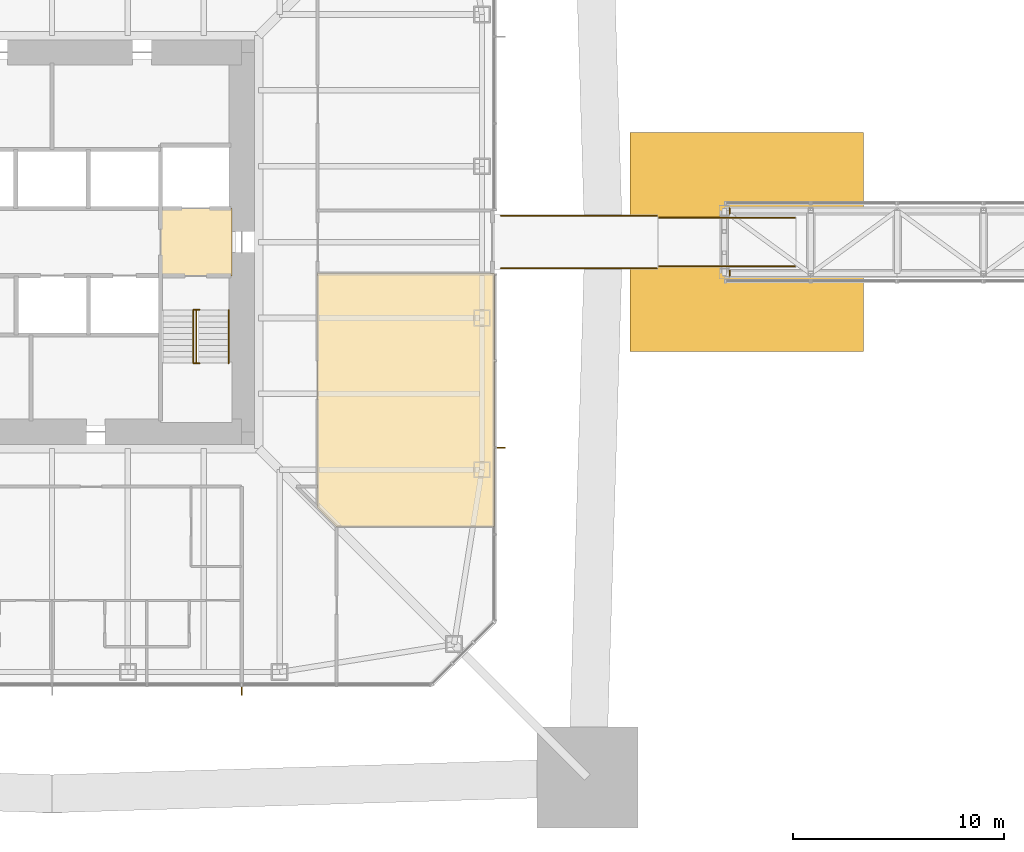
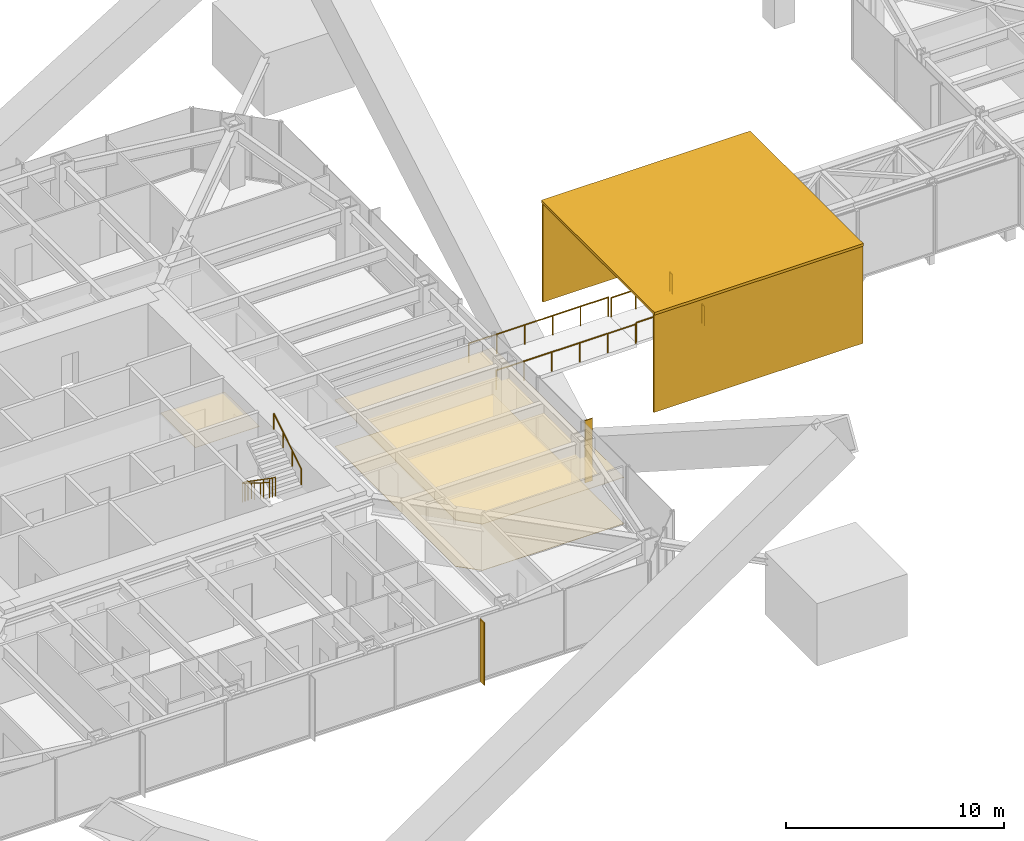
# One storey, part 26 of 28: 9 railings, 4 coverings, 2 shading devices.
"""IFC4 building model written with IfcOpenShell, lengths in metres."""

from ifc_helpers import new_model, si_unit, direction, frame, origin, origin_2d, place, context, subcontext, project, spatial, polyline, rectangle, circle, outline, extrude, material, layer, layer_set, constituent, constituent_set, type_object, element, save


model = new_model("IFC4")

# Units and contexts
model_context = context("Model", 3, precision=1e-05, world=origin(), true_north=direction((0.0, 1.0)))
body_context = subcontext(model_context, "Body", "Model", "MODEL_VIEW")
ifc_project = project(units=[si_unit("LENGTHUNIT", "METRE"), si_unit("AREAUNIT", "SQUARE_METRE"), si_unit("VOLUMEUNIT", "CUBIC_METRE"), si_unit("PLANEANGLEUNIT", "RADIAN"), si_unit("MASSUNIT", "GRAM", prefix="KILO")], contexts=[model_context])

# Site, building, storey
site_placement = place(None, origin())
site = spatial("IfcSite", under=ifc_project, at=site_placement, CompositionType="ELEMENT")
building_placement = place(site_placement, origin())
building = spatial("IfcBuilding", under=site, at=building_placement, Name="Iwan Alto Co-Living Towers", CompositionType="ELEMENT")
storey_placement = place(building_placement, frame((0.0, 0.0, 98.0)))
storey = spatial("IfcBuildingStorey", under=building, at=storey_placement, Name="L26", CompositionType="ELEMENT", Elevation=98.0)

# Covering
ifc_material_1 = material(Name="Mineral fibre acoustic tiles on steel grid", Category="steel")
ifc_layer_1 = layer(ifc_material_1, 0.02001953125)
ifc_layer_set_1 = layer_set([ifc_layer_1], Name="ACOUSTIC TILE CEILING 20")
covering_type_1 = type_object("IfcCoveringType", Name="ACOUSTIC TILE CEILING 20", PredefinedType="CEILING", material=ifc_layer_set_1)
covering_1_placement = place(storey_placement, frame((0.0, 0.0, 2.60009765625)))
element("IfcCovering", 1, at=covering_1_placement, inside=storey, type_object=covering_type_1, Name="Ceiling Firefighting lobby L26", PredefinedType="CEILING", context=body_context, shape_type="SweptSolid", body=[
    extrude(outline(polyline([(5.14990234375, -1.60009765625), (5.14990234375, 1.60009765625), (8.550048828125, 1.60009765625), (8.550048828125, -1.60009765625), (5.14990234375, -1.60009765625)])), origin(), (0.0, 0.0, 1.0), 0.02001953125),
])

# Railings
ifc_material_2 = material(Name="Stainless steel ASTM A554 Type 316", Category="steel")
railing_type_1 = type_object("IfcRailingType", Name="BRIDGE JOINT GUARD 1100", PredefinedType="GUARDRAIL", material=ifc_material_2)
railing_1_placement = place(storey_placement, frame((21.300048828125, -1.25, 0.0)))
element("IfcRailing", 2, at=railing_1_placement, inside=storey, type_object=railing_type_1, Name="Skybridge BR1 joint guard", PredefinedType="GUARDRAIL", context=body_context, shape_type="SweptSolid", body=[
    extrude(circle(Radius=0.02392578125, at=origin_2d()), frame((0.0, 0.0, 1.076171875), z_axis=(1.0, 0.0, 0.0), x_axis=(0.0, 1.0, 0.0)), (0.0, 0.0, 1.0), 7.39990234375),
    extrude(circle(Radius=0.02099609375, at=origin_2d()), origin(), (0.0, 0.0, 1.0), 1.052001953125),
    extrude(circle(Radius=0.02099609375, at=origin_2d()), frame((1.47998046875, 0.0, 0.0)), (0.0, 0.0, 1.0), 1.052001953125),
    extrude(circle(Radius=0.02099609375, at=origin_2d()), frame((2.9599609375, 0.0, 0.0)), (0.0, 0.0, 1.0), 1.052001953125),
    extrude(circle(Radius=0.02099609375, at=origin_2d()), frame((4.43994140625, 0.0, 0.0)), (0.0, 0.0, 1.0), 1.052001953125),
    extrude(circle(Radius=0.02099609375, at=origin_2d()), frame((5.919921875, 0.0, 0.0)), (0.0, 0.0, 1.0), 1.052001953125),
    extrude(circle(Radius=0.02099609375, at=origin_2d()), frame((7.39990234375, 0.0, 0.0)), (0.0, 0.0, 1.0), 1.052001953125),
])
railing_2_placement = place(storey_placement, frame((28.800048828125, -1.14990234375, 0.0)))
element("IfcRailing", 3, at=railing_2_placement, inside=storey, type_object=railing_type_1, Name="Skybridge BR1 joint guard", PredefinedType="GUARDRAIL", context=body_context, shape_type="SweptSolid", body=[
    extrude(circle(Radius=0.02392578125, at=origin_2d()), frame((0.0, 0.0, 1.076171875), z_axis=(1.0, 0.0, 0.0), x_axis=(0.0, 1.0, 0.0)), (0.0, 0.0, 1.0), 6.449951171875),
    extrude(circle(Radius=0.02099609375, at=origin_2d()), origin(), (0.0, 0.0, 1.0), 1.052001953125),
    extrude(circle(Radius=0.02099609375, at=origin_2d()), frame((1.2900390625, 0.0, 0.0)), (0.0, 0.0, 1.0), 1.052001953125),
    extrude(circle(Radius=0.02099609375, at=origin_2d()), frame((2.580078125, 0.0, 0.0)), (0.0, 0.0, 1.0), 1.052001953125),
    extrude(circle(Radius=0.02099609375, at=origin_2d()), frame((3.869873046875, 0.0, 0.0)), (0.0, 0.0, 1.0), 1.052001953125),
    extrude(circle(Radius=0.02099609375, at=origin_2d()), frame((5.159912109375, 0.0, 0.0)), (0.0, 0.0, 1.0), 1.052001953125),
    extrude(circle(Radius=0.02099609375, at=origin_2d()), frame((6.449951171875, 0.0, 0.0)), (0.0, 0.0, 1.0), 1.052001953125),
])
railing_3_placement = place(storey_placement, frame((32.14990234375, -1.60009765625, 0.0)))
element("IfcRailing", 4, at=railing_3_placement, inside=storey, type_object=railing_type_1, Name="Skybridge BR1 joint guard", PredefinedType="GUARDRAIL", context=body_context, shape_type="SweptSolid", body=[
    extrude(circle(Radius=0.02392578125, at=origin_2d()), frame((0.0, 0.0, 1.076171875), z_axis=(0.0, 1.0, 0.0), x_axis=(-1.0, 0.0, 0.0)), (0.0, 0.0, 1.0), 0.25),
    extrude(circle(Radius=0.02099609375, at=origin_2d()), origin(), (0.0, 0.0, 1.0), 1.052001953125),
    extrude(circle(Radius=0.02099609375, at=origin_2d()), frame((0.0, 0.25, 0.0)), (0.0, 0.0, 1.0), 1.052001953125),
])
railing_4_placement = place(storey_placement, frame((21.300048828125, 1.25, 0.0)))
element("IfcRailing", 5, at=railing_4_placement, inside=storey, type_object=railing_type_1, Name="Skybridge BR1 joint guard", PredefinedType="GUARDRAIL", context=body_context, shape_type="SweptSolid", body=[
    extrude(circle(Radius=0.02392578125, at=origin_2d()), frame((0.0, 0.0, 1.076171875), z_axis=(1.0, 0.0, 0.0), x_axis=(0.0, 1.0, 0.0)), (0.0, 0.0, 1.0), 7.39990234375),
    extrude(circle(Radius=0.02099609375, at=origin_2d()), origin(), (0.0, 0.0, 1.0), 1.052001953125),
    extrude(circle(Radius=0.02099609375, at=origin_2d()), frame((1.47998046875, 0.0, 0.0)), (0.0, 0.0, 1.0), 1.052001953125),
    extrude(circle(Radius=0.02099609375, at=origin_2d()), frame((2.9599609375, 0.0, 0.0)), (0.0, 0.0, 1.0), 1.052001953125),
    extrude(circle(Radius=0.02099609375, at=origin_2d()), frame((4.43994140625, 0.0, 0.0)), (0.0, 0.0, 1.0), 1.052001953125),
    extrude(circle(Radius=0.02099609375, at=origin_2d()), frame((5.919921875, 0.0, 0.0)), (0.0, 0.0, 1.0), 1.052001953125),
    extrude(circle(Radius=0.02099609375, at=origin_2d()), frame((7.39990234375, 0.0, 0.0)), (0.0, 0.0, 1.0), 1.052001953125),
])
railing_5_placement = place(storey_placement, frame((28.800048828125, 1.14990234375, 0.0)))
element("IfcRailing", 6, at=railing_5_placement, inside=storey, type_object=railing_type_1, Name="Skybridge BR1 joint guard", PredefinedType="GUARDRAIL", context=body_context, shape_type="SweptSolid", body=[
    extrude(circle(Radius=0.02392578125, at=origin_2d()), frame((0.0, 0.0, 1.076171875), z_axis=(1.0, 0.0, 0.0), x_axis=(0.0, 1.0, 0.0)), (0.0, 0.0, 1.0), 6.449951171875),
    extrude(circle(Radius=0.02099609375, at=origin_2d()), origin(), (0.0, 0.0, 1.0), 1.052001953125),
    extrude(circle(Radius=0.02099609375, at=origin_2d()), frame((1.2900390625, 0.0, 0.0)), (0.0, 0.0, 1.0), 1.052001953125),
    extrude(circle(Radius=0.02099609375, at=origin_2d()), frame((2.580078125, 0.0, 0.0)), (0.0, 0.0, 1.0), 1.052001953125),
    extrude(circle(Radius=0.02099609375, at=origin_2d()), frame((3.869873046875, 0.0, 0.0)), (0.0, 0.0, 1.0), 1.052001953125),
    extrude(circle(Radius=0.02099609375, at=origin_2d()), frame((5.159912109375, 0.0, 0.0)), (0.0, 0.0, 1.0), 1.052001953125),
    extrude(circle(Radius=0.02099609375, at=origin_2d()), frame((6.449951171875, 0.0, 0.0)), (0.0, 0.0, 1.0), 1.052001953125),
])
railing_6_placement = place(storey_placement, frame((32.14990234375, 1.60009765625, 0.0)))
element("IfcRailing", 7, at=railing_6_placement, inside=storey, type_object=railing_type_1, Name="Skybridge BR1 joint guard", PredefinedType="GUARDRAIL", context=body_context, shape_type="SweptSolid", body=[
    extrude(circle(Radius=0.02392578125, at=origin_2d()), frame((0.0, 0.0, 1.076171875), z_axis=(0.0, -1.0, 0.0), x_axis=(1.0, 0.0, 0.0)), (0.0, 0.0, 1.0), 0.25),
    extrude(circle(Radius=0.02099609375, at=origin_2d()), origin(), (0.0, 0.0, 1.0), 1.052001953125),
    extrude(circle(Radius=0.02099609375, at=origin_2d()), frame((0.0, -0.25, 0.0)), (0.0, 0.0, 1.0), 1.052001953125),
])

# Covering
ifc_material_3 = material(Name="Aluminium 6063-T6 bronze anodised insulated panel", Category="aluminium")
ifc_layer_2 = layer(ifc_material_3, 0.06005859375, Name="Insulated panels", Category="Finish")
ifc_material_4 = material(Name="Steel ASTM A500 Gr C", Category="steel")
ifc_layer_3 = layer(ifc_material_4, 0.0400390625, Name="Steel frame", Category="Framing")
ifc_layer_set_2 = layer_set([ifc_layer_2, ifc_layer_3], Name="BRIDGE LANDING POD")
covering_type_2 = type_object("IfcCoveringType", Name="BRIDGE LANDING POD", PredefinedType="USERDEFINED", material=ifc_layer_set_2)
covering_2_placement = place(storey_placement, frame((0.0, 0.0, -98.0)))
element("IfcCovering", 8, at=covering_2_placement, inside=storey, type_object=covering_type_2, Name="Skybridge BR1 landing pod", ObjectType="LANDING POD", PredefinedType="USERDEFINED", context=body_context, shape_type="SweptSolid", body=[
    extrude(rectangle(XDim=11.076171875, YDim=10.39990234375, at=origin_2d()), frame((32.9619140625, 0.0, 102.423583984375), z_axis=(0.0, 0.0, 1.0), x_axis=(1.0, 0.0, 0.0)), (0.0, 0.0, 1.0), 0.14990234375),
    extrude(rectangle(XDim=11.076171875, YDim=0.10009765625, at=origin_2d()), frame((32.9619140625, -5.10009765625, 96.937744140625), z_axis=(0.0, 0.0, 1.0), x_axis=(1.0, 0.0, 0.0)), (0.0, 0.0, 1.0), 5.48583984375),
    extrude(rectangle(XDim=11.076171875, YDim=0.10009765625, at=origin_2d()), frame((32.9619140625, 5.10009765625, 96.937744140625), z_axis=(0.0, 0.0, 1.0), x_axis=(1.0, 0.0, 0.0)), (0.0, 0.0, 1.0), 5.48583984375),
])

# Shading devices
ifc_material_5 = material(Name="Aluminium 6063-T6 bronze anodised", Category="aluminium")
ifc_layer_4 = layer(ifc_material_5, 0.050048828125)
ifc_layer_set_3 = layer_set([ifc_layer_4], Name="BRONZE FIN 50X400")
shading_device_type = type_object("IfcShadingDeviceType", Name="BRONZE FIN 50X400", PredefinedType="USERDEFINED", material=ifc_layer_set_3)
for number, where, z_axis, x_axis, name in (
    (9, (9.0, -21.300048828125, 0.0), (0.0, 0.0, 1.0), (1.0, 0.0, 0.0), "Bronze fin L26"),
    (10, (21.300048828125, -9.75, 0.0), (0.0, 0.0, 1.0), (0.0, 1.0, 0.0), "Bronze fin L26"),
):
    element("IfcShadingDevice", number, at=place(storey_placement, frame(where, z_axis=z_axis, x_axis=x_axis)), inside=storey, type_object=shading_device_type, Name=name, ObjectType="LOUVER", PredefinedType="USERDEFINED", context=body_context, shape_type="SweptSolid", body=[
        extrude(rectangle(XDim=0.050048828125, YDim=0.39990234375, at=origin_2d()), origin(), (0.0, 0.0, 1.0), 3.5),
    ])

# Railings
ifc_constituent_1 = constituent(ifc_material_4, Name="Rails and posts", Category="Framing")
ifc_material_6 = material(Name="Steel ASTM A36", Category="steel")
ifc_constituent_2 = constituent(ifc_material_6, Name="Bar infill", Category="Infill")
ifc_constituent_set = constituent_set(constituents=[ifc_constituent_1, ifc_constituent_2], Name="STAIR GUARD 1100")
railing_type_2 = type_object("IfcRailingType", Name="STAIR GUARD 1100", PredefinedType="GUARDRAIL", material=ifc_constituent_set)
railing_7_placement = place(storey_placement, frame((6.85009765625, -3.219970703125, 0.0)))
element("IfcRailing", 11, at=railing_7_placement, inside=storey, type_object=railing_type_2, Name="Stair T1-S2 well guard L26", PredefinedType="GUARDRAIL", context=body_context, shape_type="SweptSolid", body=[
    extrude(circle(Radius=0.02392578125, at=origin_2d()), frame((0.0, 0.0, 1.076171875), z_axis=(0.0, -0.821372036852, 0.570392826987), x_axis=(1.0, 0.0, 0.0)), (0.0, 0.0, 1.0), 3.068115234375),
    extrude(circle(Radius=0.02392578125, at=origin_2d()), frame((-0.150146484375, 0.0, 1.076171875), z_axis=(1.0, 0.0, 0.0), x_axis=(0.0, 1.0, 0.0)), (0.0, 0.0, 1.0), 0.300048828125),
    extrude(circle(Radius=0.02392578125, at=origin_2d()), frame((-0.150146484375, -2.52001953125, 2.826171875), z_axis=(1.0, 0.0, 0.0), x_axis=(0.0, 1.0, 0.0)), (0.0, 0.0, 1.0), 0.300048828125),
    extrude(circle(Radius=0.02099609375, at=origin_2d()), origin(), (0.0, 0.0, 1.0), 1.052001953125),
    extrude(circle(Radius=0.02099609375, at=origin_2d()), frame((0.0, -0.840087890625, 0.583251953125)), (0.0, 0.0, 1.0), 1.052001953125),
    extrude(circle(Radius=0.02099609375, at=origin_2d()), frame((0.0, -1.679931640625, 1.166748046875)), (0.0, 0.0, 1.0), 1.052001953125),
    extrude(circle(Radius=0.02099609375, at=origin_2d()), frame((0.0, -2.52001953125, 1.75)), (0.0, 0.0, 1.0), 1.052001953125),
    extrude(circle(Radius=0.02099609375, at=origin_2d()), frame((-0.150146484375, 0.0, 0.0)), (0.0, 0.0, 1.0), 1.052001953125),
    extrude(circle(Radius=0.02099609375, at=origin_2d()), frame((0.14990234375, 0.0, 0.0)), (0.0, 0.0, 1.0), 1.052001953125),
    extrude(circle(Radius=0.02099609375, at=origin_2d()), frame((-0.150146484375, -2.52001953125, 1.75)), (0.0, 0.0, 1.0), 1.052001953125),
    extrude(circle(Radius=0.02099609375, at=origin_2d()), frame((0.14990234375, -2.52001953125, 1.75)), (0.0, 0.0, 1.0), 1.052001953125),
])
ifc_material_7 = material(Name="Steel ASTM A500 Gr C", Category="steel")
railing_type_3 = type_object("IfcRailingType", Name="STAIR HANDRAIL 900", PredefinedType="HANDRAIL", material=ifc_material_7)
railing_8_placement = place(storey_placement, frame((6.699951171875, -3.219970703125, 0.175048828125)))
element("IfcRailing", 12, at=railing_8_placement, inside=storey, type_object=railing_type_3, Name="Stair T1-S2 handrail 1 L26", PredefinedType="HANDRAIL", context=body_context, shape_type="SweptSolid", body=[
    extrude(circle(Radius=0.02392578125, at=origin_2d()), frame((0.0, 0.0, 0.8759765625), z_axis=(0.0, -0.848007534815, 0.529984170421), x_axis=(1.0, 0.0, 0.0)), (0.0, 0.0, 1.0), 2.9716796875),
    extrude(circle(Radius=0.02099609375, at=origin_2d()), origin(), (0.0, 0.0, 1.0), 0.851806640625),
    extrude(circle(Radius=0.02099609375, at=origin_2d()), frame((0.0, -0.840087890625, 0.52490234375)), (0.0, 0.0, 1.0), 0.851806640625),
    extrude(circle(Radius=0.02099609375, at=origin_2d()), frame((0.0, -1.679931640625, 1.050048828125)), (0.0, 0.0, 1.0), 0.851806640625),
    extrude(circle(Radius=0.02099609375, at=origin_2d()), frame((0.0, -2.52001953125, 1.574951171875)), (0.0, 0.0, 1.0), 0.851806640625),
])
railing_9_placement = place(storey_placement, frame((8.3798828125, -5.739990234375, 1.925048828125)))
element("IfcRailing", 13, at=railing_9_placement, inside=storey, type_object=railing_type_3, Name="Stair T1-S2 handrail 2 L26", PredefinedType="HANDRAIL", context=body_context, shape_type="SweptSolid", body=[
    extrude(circle(Radius=0.02392578125, at=origin_2d()), frame((0.0, 0.0, 0.8759765625), z_axis=(0.0, 0.848007534815, 0.529984170421), x_axis=(-1.0, 0.0, 0.0)), (0.0, 0.0, 1.0), 2.9716796875),
    extrude(circle(Radius=0.02099609375, at=origin_2d()), origin(), (0.0, 0.0, 1.0), 0.851806640625),
    extrude(circle(Radius=0.02099609375, at=origin_2d()), frame((0.0, 0.840087890625, 0.52490234375)), (0.0, 0.0, 1.0), 0.851806640625),
    extrude(circle(Radius=0.02099609375, at=origin_2d()), frame((0.0, 1.679931640625, 1.050048828125)), (0.0, 0.0, 1.0), 0.851806640625),
    extrude(circle(Radius=0.02099609375, at=origin_2d()), frame((0.0, 2.52001953125, 1.574951171875)), (0.0, 0.0, 1.0), 0.851806640625),
])

# Coverings
ifc_material_8 = material(Name="Engineered oak boards")
ifc_layer_5 = layer(ifc_material_8, 0.02001953125)
ifc_layer_set_4 = layer_set([ifc_layer_5], Name="TIMBER FLOOR FINISH 20")
covering_type_3 = type_object("IfcCoveringType", Name="TIMBER FLOOR FINISH 20", PredefinedType="FLOORING", material=ifc_layer_set_4)
covering_3_placement = place(storey_placement, origin())
element("IfcCovering", 14, at=covering_3_placement, inside=storey, type_object=covering_type_3, Name="Floor finish Study sky lounge L26", PredefinedType="FLOORING", context=body_context, shape_type="SweptSolid", body=[
    extrude(outline(polyline([(21.0, -1.5), (21.0, -13.5), (13.5, -13.5), (12.60009765625, -12.60009765625), (12.60009765625, -1.5), (21.0, -1.5)])), origin(), (0.0, 0.0, 1.0), 0.02001953125),
])
ifc_material_9 = material(Name="Walnut timber slats on acoustic backing", Category="wood")
ifc_layer_6 = layer(ifc_material_9, 0.02490234375)
ifc_layer_set_5 = layer_set([ifc_layer_6], Name="TIMBER SLAT CEILING 25")
covering_type_4 = type_object("IfcCoveringType", Name="TIMBER SLAT CEILING 25", PredefinedType="CEILING", material=ifc_layer_set_5)
covering_4_placement = place(storey_placement, frame((0.0, 0.0, 2.60009765625)))
element("IfcCovering", 15, at=covering_4_placement, inside=storey, type_object=covering_type_4, Name="Ceiling Study sky lounge L26", PredefinedType="CEILING", context=body_context, shape_type="SweptSolid", body=[
    extrude(outline(polyline([(21.0, -1.5), (21.0, -13.5), (13.5, -13.5), (12.60009765625, -12.60009765625), (12.60009765625, -1.5), (21.0, -1.5)])), origin(), (0.0, 0.0, 1.0), 0.02490234375),
])

save(model, "model.ifc")
